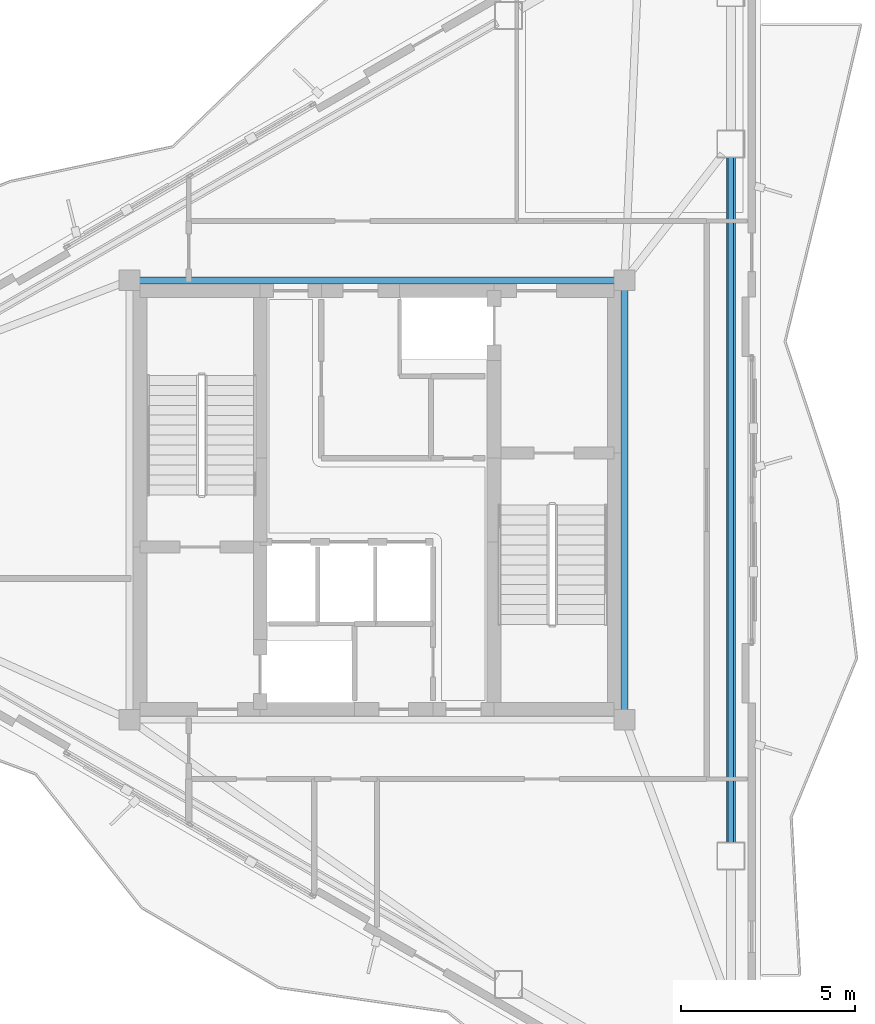
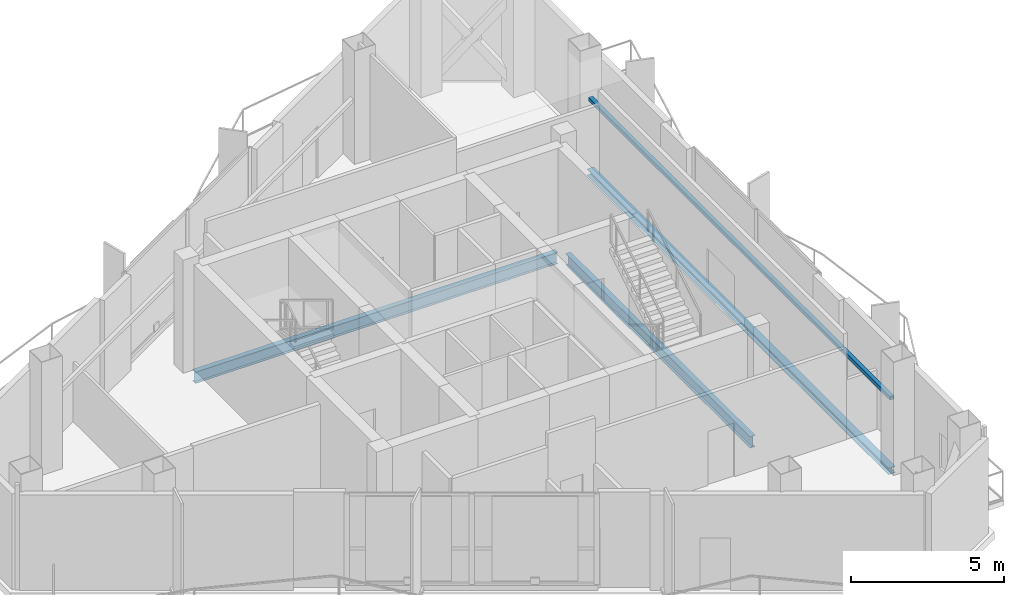
# One storey, part 7 of 14: 4 beams.
"""IFC4 building model written with IfcOpenShell, lengths in metres."""

import ifcopenshell
import ifcopenshell.guid

model = None  # the IFC model being written
_history = None  # IfcOwnerHistory: only IFC2X3 demands one
_inside = {}  # id of a spatial element -> (the spatial element, [elements in it])
_under = {}  # id of a project, library or spatial element -> (it, [spatial elements below it])
_declared = {}  # id of a project -> (the project, [libraries it declares])
_typed = {}  # id of a type object -> (the type object, [elements of that type])
_made_of = {}  # id of a material, layer set ... -> (it, [elements and type objects made of it])


def new_model(schema):
    """Start an empty IFC model of exactly this schema.

    Asked for "IFC4X3", IfcOpenShell would pick the latest addendum, in which some entities
    have other attributes; the version numbers below select the first issue.
    IFC2X3 requires an IfcOwnerHistory on every rooted entity: one is made here for all.
    """
    global model, _history
    if schema == "IFC4X3":
        model = ifcopenshell.file(schema_version=(4, 3, 0, 0))
    else:
        model = ifcopenshell.file(schema=schema)
    _inside.clear()
    _under.clear()
    _declared.clear()
    _typed.clear()
    _made_of.clear()
    _history = None
    if model.schema == "IFC2X3":
        org = make("IfcOrganization", Name="unknown")
        user = make(
            "IfcPersonAndOrganization",
            ThePerson=make("IfcPerson", FamilyName="unknown"),
            TheOrganization=org,
        )
        app = make(
            "IfcApplication",
            ApplicationDeveloper=org,
            Version="unknown",
            ApplicationFullName="unknown",
            ApplicationIdentifier="unknown",
        )
        _history = make(
            "IfcOwnerHistory",
            OwningUser=user,
            OwningApplication=app,
            ChangeAction="ADDED",
            CreationDate=0,
        )
    return model


def make(cls, **values):
    """One entity of the class cls with the attributes given. An attribute that is None is left unset."""
    return model.create_entity(
        cls, **{name: value for name, value in values.items() if value is not None}
    )


def rooted(cls, **values):
    """An entity with a GlobalId (a new one), such as an element, a storey or a relation."""
    return make(cls, GlobalId=ifcopenshell.guid.new(), OwnerHistory=_history, **values)


def si_unit(unit_type, name, prefix=None):
    """IfcSIUnit, for example si_unit("LENGTHUNIT", "METRE", prefix="MILLI")."""
    return make("IfcSIUnit", UnitType=unit_type, Prefix=prefix, Name=name)


def assignment(units):
    """IfcUnitAssignment: the units of a project."""
    return None if units is None else make("IfcUnitAssignment", Units=units)


def point(xyz):
    """IfcCartesianPoint."""
    return None if xyz is None else make("IfcCartesianPoint", Coordinates=xyz)


def direction(xyz):
    """IfcDirection."""
    return None if xyz is None else make("IfcDirection", DirectionRatios=xyz)


def frame(location, z_axis=None, x_axis=None):
    """IfcAxis2Placement3D, a coordinate frame: its origin and axes. An axis left out is left unset."""
    return make(
        "IfcAxis2Placement3D",
        Location=point(location),
        Axis=direction(z_axis),
        RefDirection=direction(x_axis),
    )


def frame_2d(location, x_axis=None):
    """IfcAxis2Placement2D, a coordinate frame in the plane: its origin and x axis."""
    return make(
        "IfcAxis2Placement2D", Location=point(location), RefDirection=direction(x_axis)
    )


def origin():
    """The frame at (0, 0, 0) with its axes left unset."""
    return frame((0.0, 0.0, 0.0))


def origin_2d():
    """The frame at (0, 0) in the plane with its x axis left unset."""
    return frame_2d((0.0, 0.0))


def place(relative_to, where):
    """IfcLocalPlacement: puts the frame where relative to a parent placement (None: the world)."""
    return make(
        "IfcLocalPlacement", PlacementRelTo=relative_to, RelativePlacement=where
    )


def context(
    kind, dimensions, precision=None, world=None, true_north=None, identifier=None
):
    """IfcGeometricRepresentationContext, for example the 3D "Model" context."""
    return make(
        "IfcGeometricRepresentationContext",
        ContextIdentifier=identifier,
        ContextType=kind,
        CoordinateSpaceDimension=dimensions,
        Precision=precision,
        WorldCoordinateSystem=world,
        TrueNorth=true_north,
    )


def subcontext(parent, identifier, kind, view, scale=None):
    """IfcGeometricRepresentationSubContext, for example "Body" below "Model"."""
    return make(
        "IfcGeometricRepresentationSubContext",
        ContextIdentifier=identifier,
        ContextType=kind,
        ParentContext=parent,
        TargetScale=scale,
        TargetView=view,
    )


def project(units=None, contexts=None):
    """IfcProject with its units and contexts."""
    return rooted(
        "IfcProject",
        Name="project",
        RepresentationContexts=contexts,
        UnitsInContext=assignment(units),
    )


def spatial(cls, under=None, at=None, **own):
    """A site, building, storey or space (cls), placed at a placement, below another one or the project."""
    s = rooted(cls, ObjectPlacement=at, **own)
    if under is not None:
        _under.setdefault(under.id(), (under, []))[1].append(s)
    return s


def profile(cls, at=None, kind="AREA", **sizes):
    """A parametric profile (cls). Its sizes go by their IFC names, for example OverallWidth=200.0."""
    return make(cls, ProfileType=kind, Position=at, **sizes)


def hollow_rectangle(**sizes):
    """IfcRectangleHollowProfileDef."""
    return profile("IfcRectangleHollowProfileDef", **sizes)


def i_section(**sizes):
    """IfcIShapeProfileDef."""
    return profile("IfcIShapeProfileDef", **sizes)


def extrude(swept, where, along, depth):
    """IfcExtrudedAreaSolid: the profile swept, set in the frame where, extruded along a direction by depth."""
    return make(
        "IfcExtrudedAreaSolid",
        SweptArea=swept,
        Position=where,
        ExtrudedDirection=direction(along),
        Depth=depth,
    )


def shape(context_of_items, identifier, shape_type, items):
    """IfcShapeRepresentation: the items that make up one representation, for example the "Body"."""
    return make(
        "IfcShapeRepresentation",
        ContextOfItems=context_of_items,
        RepresentationIdentifier=identifier,
        RepresentationType=shape_type,
        Items=items,
    )


def material(Name=None, Category=None):
    """IfcMaterial."""
    return make("IfcMaterial", Name=Name, Category=Category)


def material_profile(
    of_material, cross_section, Name=None, Category=None, Priority=None
):
    """IfcMaterialProfile: a cross section and its material."""
    return make(
        "IfcMaterialProfile",
        Name=Name,
        Material=of_material,
        Profile=cross_section,
        Priority=Priority,
        Category=Category,
    )


def profile_set(profiles, Name=None, composite=None):
    """IfcMaterialProfileSet."""
    return make(
        "IfcMaterialProfileSet",
        Name=Name,
        MaterialProfiles=profiles,
        CompositeProfile=composite,
    )


def made_of(thing, what):
    """Note that an element or type object is made of a material, layer set ...; save() writes the relation."""
    if what is not None:
        _made_of.setdefault(what.id(), (what, []))[1].append(thing)
    return thing


def type_object(cls, material=None, **own):
    """A type object (cls), such as IfcWallType, which elements share."""
    return made_of(rooted(cls, **own), material)


def element(
    cls,
    number,
    at=None,
    inside=None,
    cuts=None,
    type_object=None,
    material=None,
    context=None,
    identifier="Body",
    shape_type=None,
    held_by="IfcProductDefinitionShape",
    body=None,
    shapes=None,
    **own,
):
    """One element of the class cls, such as IfcWall. Its Tag is "e" and its number.

    at: its placement. inside: the storey or other place that contains it. cuts: it is an
    opening in that element (IfcRelVoidsElement). A single representation is given by context,
    identifier, shape_type and body (its items); several are given by shapes. held_by: the class
    of the entity that holds the representations. save() writes the other relations.
    """
    e = rooted(cls, Tag="e%d" % number, ObjectPlacement=at, **own)
    if body is not None:
        shapes = [shape(context, identifier, shape_type, body)]
    if shapes is not None:
        e.Representation = make(held_by, Representations=shapes)
    if inside is not None:
        _inside.setdefault(inside.id(), (inside, []))[1].append(e)
    if cuts is not None:
        rooted(
            "IfcRelVoidsElement", RelatingBuildingElement=cuts, RelatedOpeningElement=e
        )
    if type_object is not None:
        _typed.setdefault(type_object.id(), (type_object, []))[1].append(e)
    return made_of(e, material)


def aggregate(whole, parts):
    """IfcRelAggregates: a whole, such as a stair, and the parts it consists of."""
    return rooted("IfcRelAggregates", RelatingObject=whole, RelatedObjects=parts)


def save(model, path):
    """Write the relations noted so far, then the file.

    IfcRelAggregates (storeys below a building ...), IfcRelContainedInSpatialStructure (elements
    in a storey), IfcRelDefinesByType, IfcRelAssociatesMaterial and IfcRelDeclares: one each for
    every whole, place, type object, material and project.
    """
    for whole, parts in _under.values():
        aggregate(whole, parts)
    for where, things in _inside.values():
        rooted(
            "IfcRelContainedInSpatialStructure",
            RelatedElements=things,
            RelatingStructure=where,
        )
    for kind, things in _typed.values():
        rooted("IfcRelDefinesByType", RelatedObjects=things, RelatingType=kind)
    for what, things in _made_of.values():
        rooted("IfcRelAssociatesMaterial", RelatedObjects=things, RelatingMaterial=what)
    for by, libraries in _declared.values():
        rooted("IfcRelDeclares", RelatingContext=by, RelatedDefinitions=libraries)
    model.write(path)


model = new_model("IFC4")

# Units and contexts
model_context = context("Model", 3, precision=1e-05, world=origin(), true_north=direction((0.0, 1.0)))
body_context = subcontext(model_context, "Body", "Model", "MODEL_VIEW")
ifc_project = project(units=[si_unit("LENGTHUNIT", "METRE"), si_unit("AREAUNIT", "SQUARE_METRE"), si_unit("VOLUMEUNIT", "CUBIC_METRE"), si_unit("PLANEANGLEUNIT", "RADIAN"), si_unit("MASSUNIT", "GRAM", prefix="KILO")], contexts=[model_context])

# Site, building, storey
site_placement = place(None, origin())
site = spatial("IfcSite", under=ifc_project, at=site_placement, CompositionType="ELEMENT")
building_placement = place(site_placement, origin())
building = spatial("IfcBuilding", under=site, at=building_placement, Name="Mersakhor Tower and Convention Hall", CompositionType="ELEMENT")
storey_placement = place(building_placement, frame((0.0, 0.0, 254.10009765625)))
storey = spatial("IfcBuildingStorey", under=building, at=storey_placement, Name="L71", CompositionType="ELEMENT", Elevation=254.10009765625)

# Beams
ifc_material_1 = material(Name="Steel S355", Category="steel")
ifc_material_profile_1 = material_profile(ifc_material_1, i_section(OverallWidth=0.19140625, OverallDepth=0.4599609375, WebThickness=0.010009765625, FlangeThickness=0.01611328125, at=origin_2d()), Name="UB 457x191x82")
ifc_profile_set_1 = profile_set([ifc_material_profile_1], Name="Steel S355")
beam_type_1 = type_object("IfcBeamType", Name="BM-FB-457", PredefinedType="BEAM", material=ifc_profile_set_1)
beam_1_placement = place(storey_placement, frame((22.179931640625, 33.050048828125, -0.510009765625), z_axis=(1.0, 0.0, 0.0), x_axis=(0.0, 1.0, 0.0)))
element("IfcBeam", 1, at=beam_1_placement, inside=storey, type_object=beam_type_1, Name="L71 Core Ring Tie Beam CRB-2", PredefinedType="BEAM", context=body_context, shape_type="SweptSolid", body=[
    extrude(i_section(OverallWidth=0.19140625, OverallDepth=0.4599609375, WebThickness=0.010009765625, FlangeThickness=0.01611328125, at=origin_2d()), origin(), (0.0, 0.0, 1.0), 13.64013671875),
])
beam_2_placement = place(storey_placement, frame((36.10009765625, 32.77001953125, -0.510009765625), z_axis=(0.0, -1.0, 0.0), x_axis=(1.0, 0.0, 0.0)))
element("IfcBeam", 2, at=beam_2_placement, inside=storey, type_object=beam_type_1, Name="L71 Core Ring Tie Beam CRB-3", PredefinedType="BEAM", context=body_context, shape_type="SweptSolid", body=[
    extrude(i_section(OverallWidth=0.19140625, OverallDepth=0.4599609375, WebThickness=0.010009765625, FlangeThickness=0.01611328125, at=origin_2d()), origin(), (0.0, 0.0, 1.0), 12.0400390625),
])
ifc_material_2 = material(Name="Steel S355", Category="steel")
ifc_material_profile_2 = material_profile(ifc_material_2, hollow_rectangle(XDim=0.14990234375, YDim=0.14990234375, WallThickness=0.010009765625, at=origin_2d()), Name="SHS 150x150x10")
ifc_profile_set_2 = profile_set([ifc_material_profile_2], Name="Steel S355")
beam_type_2 = type_object("IfcBeamType", Name="BM-GRT-SHS150", PredefinedType="USERDEFINED", material=ifc_profile_set_2)
beam_3_placement = place(storey_placement, frame((39.142822265625, 36.580810546875, 2.47998046875), z_axis=(0.0, -1.0, 0.0), x_axis=(1.0, 0.0, 0.0)))
element("IfcBeam", 3, at=beam_3_placement, inside=storey, type_object=beam_type_2, Name="L71 Facade Support Girt GRT-F2", ObjectType="GIRT", PredefinedType="USERDEFINED", context=body_context, shape_type="SweptSolid", body=[
    extrude(hollow_rectangle(XDim=0.14990234375, YDim=0.14990234375, WallThickness=0.010009765625, at=origin_2d()), origin(), (0.0, 0.0, 1.0), 19.66162109375),
])
ifc_material_3 = material(Name="Steel S355", Category="steel")
ifc_material_profile_3 = material_profile(ifc_material_3, i_section(OverallWidth=0.25634765625, OverallDepth=0.26025390625, WebThickness=0.01025390625, FlangeThickness=0.017333984375, at=origin_2d()), Name="UC 254x254x89")
ifc_profile_set_3 = profile_set([ifc_material_profile_3], Name="Steel S355")
beam_type_3 = type_object("IfcBeamType", Name="BM-SPD-UC254", PredefinedType="SPANDREL", material=ifc_profile_set_3)
beam_4_placement = place(storey_placement, frame((39.142822265625, 36.580810546875, -0.41015625), z_axis=(0.0, -1.0, 0.0), x_axis=(1.0, 0.0, 0.0)))
element("IfcBeam", 4, at=beam_4_placement, inside=storey, type_object=beam_type_3, Name="L71 Perimeter Spandrel Beam SPB-06", PredefinedType="SPANDREL", context=body_context, shape_type="SweptSolid", body=[
    extrude(i_section(OverallWidth=0.25634765625, OverallDepth=0.26025390625, WebThickness=0.01025390625, FlangeThickness=0.017333984375, at=origin_2d()), origin(), (0.0, 0.0, 1.0), 19.66162109375),
])

save(model, "model.ifc")
